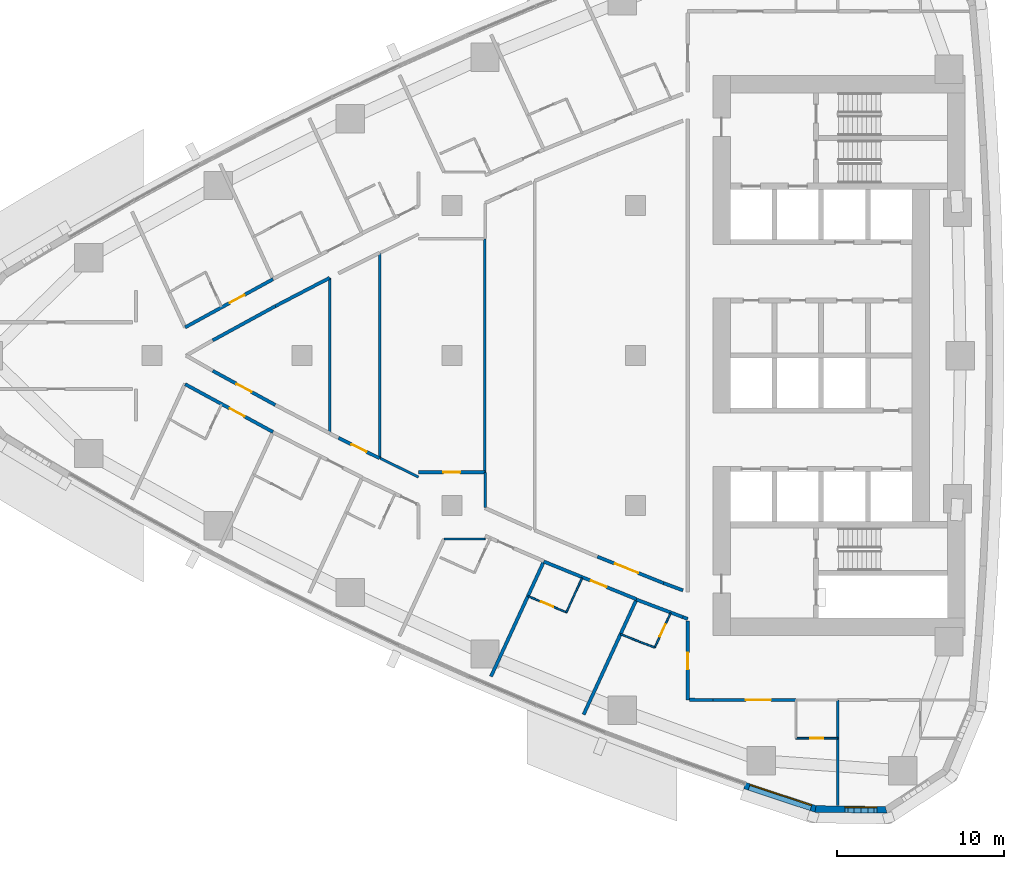
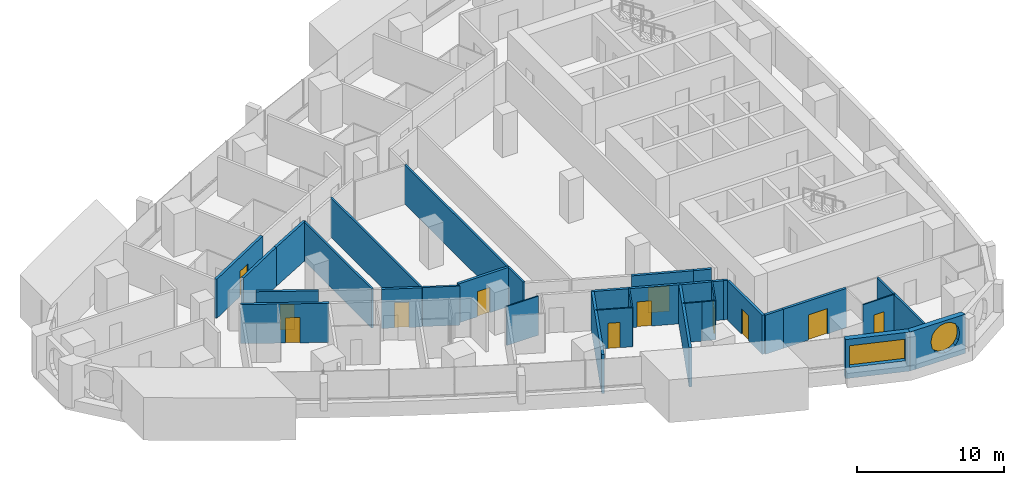
# One storey, part 9 of 17: 32 walls, 12 doors, 2 windows, 14 openings.
"""IFC4 building model written with IfcOpenShell, lengths in metres."""

import ifcopenshell
import ifcopenshell.guid

model = None  # the IFC model being written
_history = None  # IfcOwnerHistory: only IFC2X3 demands one
_inside = {}  # id of a spatial element -> (the spatial element, [elements in it])
_under = {}  # id of a project, library or spatial element -> (it, [spatial elements below it])
_declared = {}  # id of a project -> (the project, [libraries it declares])
_typed = {}  # id of a type object -> (the type object, [elements of that type])
_made_of = {}  # id of a material, layer set ... -> (it, [elements and type objects made of it])


def new_model(schema):
    """Start an empty IFC model of exactly this schema.

    Asked for "IFC4X3", IfcOpenShell would pick the latest addendum, in which some entities
    have other attributes; the version numbers below select the first issue.
    IFC2X3 requires an IfcOwnerHistory on every rooted entity: one is made here for all.
    """
    global model, _history
    if schema == "IFC4X3":
        model = ifcopenshell.file(schema_version=(4, 3, 0, 0))
    else:
        model = ifcopenshell.file(schema=schema)
    _inside.clear()
    _under.clear()
    _declared.clear()
    _typed.clear()
    _made_of.clear()
    _history = None
    if model.schema == "IFC2X3":
        org = make("IfcOrganization", Name="unknown")
        user = make(
            "IfcPersonAndOrganization",
            ThePerson=make("IfcPerson", FamilyName="unknown"),
            TheOrganization=org,
        )
        app = make(
            "IfcApplication",
            ApplicationDeveloper=org,
            Version="unknown",
            ApplicationFullName="unknown",
            ApplicationIdentifier="unknown",
        )
        _history = make(
            "IfcOwnerHistory",
            OwningUser=user,
            OwningApplication=app,
            ChangeAction="ADDED",
            CreationDate=0,
        )
    return model


def make(cls, **values):
    """One entity of the class cls with the attributes given. An attribute that is None is left unset."""
    return model.create_entity(
        cls, **{name: value for name, value in values.items() if value is not None}
    )


def rooted(cls, **values):
    """An entity with a GlobalId (a new one), such as an element, a storey or a relation."""
    return make(cls, GlobalId=ifcopenshell.guid.new(), OwnerHistory=_history, **values)


def si_unit(unit_type, name, prefix=None):
    """IfcSIUnit, for example si_unit("LENGTHUNIT", "METRE", prefix="MILLI")."""
    return make("IfcSIUnit", UnitType=unit_type, Prefix=prefix, Name=name)


def assignment(units):
    """IfcUnitAssignment: the units of a project."""
    return None if units is None else make("IfcUnitAssignment", Units=units)


def point(xyz):
    """IfcCartesianPoint."""
    return None if xyz is None else make("IfcCartesianPoint", Coordinates=xyz)


def direction(xyz):
    """IfcDirection."""
    return None if xyz is None else make("IfcDirection", DirectionRatios=xyz)


def frame(location, z_axis=None, x_axis=None):
    """IfcAxis2Placement3D, a coordinate frame: its origin and axes. An axis left out is left unset."""
    return make(
        "IfcAxis2Placement3D",
        Location=point(location),
        Axis=direction(z_axis),
        RefDirection=direction(x_axis),
    )


def frame_2d(location, x_axis=None):
    """IfcAxis2Placement2D, a coordinate frame in the plane: its origin and x axis."""
    return make(
        "IfcAxis2Placement2D", Location=point(location), RefDirection=direction(x_axis)
    )


def origin():
    """The frame at (0, 0, 0) with its axes left unset."""
    return frame((0.0, 0.0, 0.0))


def place(relative_to, where):
    """IfcLocalPlacement: puts the frame where relative to a parent placement (None: the world)."""
    return make(
        "IfcLocalPlacement", PlacementRelTo=relative_to, RelativePlacement=where
    )


def context(
    kind, dimensions, precision=None, world=None, true_north=None, identifier=None
):
    """IfcGeometricRepresentationContext, for example the 3D "Model" context."""
    return make(
        "IfcGeometricRepresentationContext",
        ContextIdentifier=identifier,
        ContextType=kind,
        CoordinateSpaceDimension=dimensions,
        Precision=precision,
        WorldCoordinateSystem=world,
        TrueNorth=true_north,
    )


def subcontext(parent, identifier, kind, view, scale=None):
    """IfcGeometricRepresentationSubContext, for example "Body" below "Model"."""
    return make(
        "IfcGeometricRepresentationSubContext",
        ContextIdentifier=identifier,
        ContextType=kind,
        ParentContext=parent,
        TargetScale=scale,
        TargetView=view,
    )


def project(units=None, contexts=None):
    """IfcProject with its units and contexts."""
    return rooted(
        "IfcProject",
        Name="project",
        RepresentationContexts=contexts,
        UnitsInContext=assignment(units),
    )


def spatial(cls, under=None, at=None, **own):
    """A site, building, storey or space (cls), placed at a placement, below another one or the project."""
    s = rooted(cls, ObjectPlacement=at, **own)
    if under is not None:
        _under.setdefault(under.id(), (under, []))[1].append(s)
    return s


def polyline(points):
    """IfcPolyline through the points."""
    return make("IfcPolyline", Points=[point(p) for p in points])


def profile(cls, at=None, kind="AREA", **sizes):
    """A parametric profile (cls). Its sizes go by their IFC names, for example OverallWidth=200.0."""
    return make(cls, ProfileType=kind, Position=at, **sizes)


def rectangle(**sizes):
    """IfcRectangleProfileDef."""
    return profile("IfcRectangleProfileDef", **sizes)


def outline(outer, holes=None, kind="AREA"):
    """IfcArbitraryClosedProfileDef: a profile drawn as a closed curve; with holes, ...WithVoids."""
    if holes is None:
        return make("IfcArbitraryClosedProfileDef", ProfileType=kind, OuterCurve=outer)
    return make(
        "IfcArbitraryProfileDefWithVoids",
        ProfileType=kind,
        OuterCurve=outer,
        InnerCurves=holes,
    )


def extrude(swept, where, along, depth):
    """IfcExtrudedAreaSolid: the profile swept, set in the frame where, extruded along a direction by depth."""
    return make(
        "IfcExtrudedAreaSolid",
        SweptArea=swept,
        Position=where,
        ExtrudedDirection=direction(along),
        Depth=depth,
    )


def shape(context_of_items, identifier, shape_type, items):
    """IfcShapeRepresentation: the items that make up one representation, for example the "Body"."""
    return make(
        "IfcShapeRepresentation",
        ContextOfItems=context_of_items,
        RepresentationIdentifier=identifier,
        RepresentationType=shape_type,
        Items=items,
    )


def material(Name=None, Category=None):
    """IfcMaterial."""
    return make("IfcMaterial", Name=Name, Category=Category)


def layer(
    of_material, thickness, ventilated=None, Name=None, Category=None, Priority=None
):
    """IfcMaterialLayer: one layer of a wall or slab, of a material (None: an air gap)."""
    return make(
        "IfcMaterialLayer",
        Material=of_material,
        LayerThickness=thickness,
        IsVentilated=ventilated,
        Name=Name,
        Category=Category,
        Priority=Priority,
    )


def layer_set(layers, Name=None):
    """IfcMaterialLayerSet."""
    return make("IfcMaterialLayerSet", MaterialLayers=layers, LayerSetName=Name)


def made_of(thing, what):
    """Note that an element or type object is made of a material, layer set ...; save() writes the relation."""
    if what is not None:
        _made_of.setdefault(what.id(), (what, []))[1].append(thing)
    return thing


def type_object(cls, material=None, **own):
    """A type object (cls), such as IfcWallType, which elements share."""
    return made_of(rooted(cls, **own), material)


def element(
    cls,
    number,
    at=None,
    inside=None,
    cuts=None,
    type_object=None,
    material=None,
    context=None,
    identifier="Body",
    shape_type=None,
    held_by="IfcProductDefinitionShape",
    body=None,
    shapes=None,
    **own,
):
    """One element of the class cls, such as IfcWall. Its Tag is "e" and its number.

    at: its placement. inside: the storey or other place that contains it. cuts: it is an
    opening in that element (IfcRelVoidsElement). A single representation is given by context,
    identifier, shape_type and body (its items); several are given by shapes. held_by: the class
    of the entity that holds the representations. save() writes the other relations.
    """
    e = rooted(cls, Tag="e%d" % number, ObjectPlacement=at, **own)
    if body is not None:
        shapes = [shape(context, identifier, shape_type, body)]
    if shapes is not None:
        e.Representation = make(held_by, Representations=shapes)
    if inside is not None:
        _inside.setdefault(inside.id(), (inside, []))[1].append(e)
    if cuts is not None:
        rooted(
            "IfcRelVoidsElement", RelatingBuildingElement=cuts, RelatedOpeningElement=e
        )
    if type_object is not None:
        _typed.setdefault(type_object.id(), (type_object, []))[1].append(e)
    return made_of(e, material)


def fill(opening, filler):
    """IfcRelFillsElement: the door or window that sits in an opening."""
    return rooted(
        "IfcRelFillsElement",
        RelatingOpeningElement=opening,
        RelatedBuildingElement=filler,
    )


def aggregate(whole, parts):
    """IfcRelAggregates: a whole, such as a stair, and the parts it consists of."""
    return rooted("IfcRelAggregates", RelatingObject=whole, RelatedObjects=parts)


def save(model, path):
    """Write the relations noted so far, then the file.

    IfcRelAggregates (storeys below a building ...), IfcRelContainedInSpatialStructure (elements
    in a storey), IfcRelDefinesByType, IfcRelAssociatesMaterial and IfcRelDeclares: one each for
    every whole, place, type object, material and project.
    """
    for whole, parts in _under.values():
        aggregate(whole, parts)
    for where, things in _inside.values():
        rooted(
            "IfcRelContainedInSpatialStructure",
            RelatedElements=things,
            RelatingStructure=where,
        )
    for kind, things in _typed.values():
        rooted("IfcRelDefinesByType", RelatedObjects=things, RelatingType=kind)
    for what, things in _made_of.values():
        rooted("IfcRelAssociatesMaterial", RelatedObjects=things, RelatingMaterial=what)
    for by, libraries in _declared.values():
        rooted("IfcRelDeclares", RelatingContext=by, RelatedDefinitions=libraries)
    model.write(path)


model = new_model("IFC4")

# Units and contexts
model_context = context("Model", 3, precision=1e-05, world=origin(), true_north=direction((0.0, 1.0)))
body_context = subcontext(model_context, "Body", "Model", "MODEL_VIEW")
ifc_project = project(units=[si_unit("LENGTHUNIT", "METRE"), si_unit("AREAUNIT", "SQUARE_METRE"), si_unit("VOLUMEUNIT", "CUBIC_METRE"), si_unit("PLANEANGLEUNIT", "RADIAN"), si_unit("MASSUNIT", "GRAM", prefix="KILO")], contexts=[model_context])

# Site, building, storey
site_placement = place(None, origin())
site = spatial("IfcSite", under=ifc_project, at=site_placement, CompositionType="ELEMENT")
building_placement = place(site_placement, origin())
building = spatial("IfcBuilding", under=site, at=building_placement, Name="Ostrand Prow Hotel Tower", CompositionType="ELEMENT")
storey_placement = place(building_placement, frame((0.0, 0.0, 102.64990234375)))
storey = spatial("IfcBuildingStorey", under=building, at=storey_placement, Name="L24", CompositionType="ELEMENT", Elevation=102.64990234375)

# Wall, opening, door
ifc_material_1 = material(Name="Plasterboard partition")
ifc_layer_1 = layer(ifc_material_1, 0.10009765625)
ifc_layer_set_1 = layer_set([ifc_layer_1], Name="Plasterboard partition")
wall_type_1 = type_object("IfcWallType", Name="Partition 100 bathroom wall", PredefinedType="PARTITIONING", material=ifc_layer_set_1)
wall_1_placement = place(storey_placement, frame((57.130615234375, -22.949951171875, 0.0), z_axis=(0.0, 0.0, 1.0), x_axis=(-1.0, 0.0, 0.0)))
wall_1 = element("IfcWall", 1, at=wall_1_placement, inside=storey, type_object=wall_type_1, Name="BATHROOM WALL", PredefinedType="PARTITIONING", context=body_context, shape_type="SweptSolid", body=[
    extrude(rectangle(XDim=2.5, YDim=0.10009765625, at=frame_2d((1.25, 0.0))), origin(), (0.0, 0.0, 1.0), 3.25),
])
opening_1_placement = place(wall_1_placement, frame((0.85009765625, 0.0, 0.0)))
opening_1 = element("IfcOpeningElement", 2, at=opening_1_placement, cuts=wall_1, Name="Opening D2", PredefinedType="OPENING", context=body_context, shape_type="SweptSolid", body=[
    extrude(rectangle(XDim=0.800048828125, YDim=2.10009765625, at=frame_2d((0.39990234375, 1.050048828125))), frame((0.0, 0.06005859375, 0.0), z_axis=(0.0, -1.0, 0.0), x_axis=(1.0, 0.0, 0.0)), (0.0, 0.0, 1.0), 0.1201171875),
])
ifc_material_2 = material(Name="Timber door leaf", Category="wood")
door_type_1 = type_object("IfcDoorType", Name="Bathroom door 800", OperationType="SINGLE_SWING_LEFT", PredefinedType="DOOR", material=ifc_material_2)
door_1_placement = place(opening_1_placement, origin())
door_1 = element("IfcDoor", 3, at=door_1_placement, inside=storey, type_object=door_type_1, Name="DOOR", OperationType="SINGLE_SWING_LEFT", OverallHeight=2.10009765625, OverallWidth=0.800048828125, PredefinedType="DOOR", context=body_context, shape_type="SweptSolid", body=[
    extrude(rectangle(XDim=0.800048828125, YDim=2.10009765625, at=frame_2d((0.39990234375, 1.050048828125))), frame((0.0, 0.02490234375, 0.0), z_axis=(0.0, -1.0, 0.0), x_axis=(1.0, 0.0, 0.0)), (0.0, 0.0, 1.0), 0.050048828125),
])
fill(opening_1, door_1)

# Wall
wall_2_placement = place(storey_placement, frame((41.816162109375, -13.32958984375, 0.0), z_axis=(0.0, 0.0, 1.0), x_axis=(-0.417433204355, -0.908707609686, 0.0)))
element("IfcWall", 4, at=wall_2_placement, inside=storey, type_object=wall_type_1, Name="BATHROOM WALL", PredefinedType="PARTITIONING", context=body_context, shape_type="SweptSolid", body=[
    extrude(rectangle(XDim=2.278076171875, YDim=0.10009765625, at=frame_2d((1.13916015625, 0.0))), origin(), (0.0, 0.0, 1.0), 3.25),
])

# Wall, opening, door
wall_3_placement = place(storey_placement, frame((40.865234375, -15.399658203125, 0.0), z_axis=(0.0, 0.0, 1.0), x_axis=(-0.921042675983, 0.38946166566, 0.0)))
wall_3 = element("IfcWall", 5, at=wall_3_placement, inside=storey, type_object=wall_type_1, Name="BATHROOM WALL", PredefinedType="PARTITIONING", context=body_context, shape_type="SweptSolid", body=[
    extrude(rectangle(XDim=2.501220703125, YDim=0.10009765625, at=frame_2d((1.25048828125, 0.0))), origin(), (0.0, 0.0, 1.0), 3.25),
])
opening_2_placement = place(wall_3_placement, frame((0.85009765625, 0.0, 0.0)))
opening_2 = element("IfcOpeningElement", 6, at=opening_2_placement, cuts=wall_3, Name="Opening D2", PredefinedType="OPENING", context=body_context, shape_type="SweptSolid", body=[
    extrude(rectangle(XDim=0.800048828125, YDim=2.10009765625, at=frame_2d((0.39990234375, 1.050048828125))), frame((0.0, 0.06005859375, 0.0), z_axis=(0.0, -1.0, 0.0), x_axis=(1.0, 0.0, 0.0)), (0.0, 0.0, 1.0), 0.1201171875),
])
door_2_placement = place(opening_2_placement, origin())
door_2 = element("IfcDoor", 7, at=door_2_placement, inside=storey, type_object=door_type_1, Name="DOOR", OperationType="SINGLE_SWING_LEFT", OverallHeight=2.10009765625, OverallWidth=0.800048828125, PredefinedType="DOOR", context=body_context, shape_type="SweptSolid", body=[
    extrude(rectangle(XDim=0.800048828125, YDim=2.10009765625, at=frame_2d((0.39990234375, 1.050048828125))), frame((0.0, 0.02490234375, 0.0), z_axis=(0.0, -1.0, 0.0), x_axis=(1.0, 0.0, 0.0)), (0.0, 0.0, 1.0), 0.050048828125),
])
fill(opening_2, door_2)

wall_4_placement = place(storey_placement, frame((47.1220703125, -15.434326171875, 0.0), z_axis=(0.0, 0.0, 1.0), x_axis=(-0.417409478396, -0.90871850831, 0.0)))
wall_4 = element("IfcWall", 8, at=wall_4_placement, inside=storey, type_object=wall_type_1, Name="BATHROOM WALL", PredefinedType="PARTITIONING", context=body_context, shape_type="SweptSolid", body=[
    extrude(rectangle(XDim=2.282958984375, YDim=0.10009765625, at=frame_2d((1.1416015625, 0.0))), origin(), (0.0, 0.0, 1.0), 3.25),
])
opening_3_placement = place(wall_4_placement, frame((0.75, 0.0, 0.0)))
opening_3 = element("IfcOpeningElement", 9, at=opening_3_placement, cuts=wall_4, Name="Opening D2", PredefinedType="OPENING", context=body_context, shape_type="SweptSolid", body=[
    extrude(rectangle(XDim=0.800048828125, YDim=2.10009765625, at=frame_2d((0.39990234375, 1.050048828125))), frame((0.0, 0.06005859375, 0.0), z_axis=(0.0, -1.0, 0.0), x_axis=(1.0, 0.0, 0.0)), (0.0, 0.0, 1.0), 0.1201171875),
])
door_3_placement = place(opening_3_placement, origin())
door_3 = element("IfcDoor", 10, at=door_3_placement, inside=storey, type_object=door_type_1, Name="DOOR", OperationType="SINGLE_SWING_LEFT", OverallHeight=2.10009765625, OverallWidth=0.800048828125, PredefinedType="DOOR", context=body_context, shape_type="SweptSolid", body=[
    extrude(rectangle(XDim=0.800048828125, YDim=2.10009765625, at=frame_2d((0.39990234375, 1.050048828125))), frame((0.0, 0.02490234375, 0.0), z_axis=(0.0, -1.0, 0.0), x_axis=(1.0, 0.0, 0.0)), (0.0, 0.0, 1.0), 0.050048828125),
])
fill(opening_3, door_3)

# Walls
wall_5_placement = place(storey_placement, frame((46.1689453125, -17.5087890625, 0.0), z_axis=(0.0, 0.0, 1.0), x_axis=(-0.935885332459, 0.352304760808, 0.0)))
element("IfcWall", 11, at=wall_5_placement, inside=storey, type_object=wall_type_1, Name="BATHROOM WALL", PredefinedType="PARTITIONING", context=body_context, shape_type="SweptSolid", body=[
    extrude(rectangle(XDim=0.90576171875, YDim=0.10009765625, at=frame_2d((0.452880859375, 0.0))), origin(), (0.0, 0.0, 1.0), 3.25),
])
wall_6_placement = place(storey_placement, frame((45.3212890625, -17.189697265625, 0.0), z_axis=(0.0, 0.0, 1.0), x_axis=(-0.928593389657, 0.371098796393, 0.0)))
element("IfcWall", 12, at=wall_6_placement, inside=storey, type_object=wall_type_1, Name="BATHROOM WALL", PredefinedType="PARTITIONING", context=body_context, shape_type="SweptSolid", body=[
    extrude(rectangle(XDim=1.298095703125, YDim=0.10009765625, at=frame_2d((0.64892578125, 0.0))), origin(), (0.0, 0.0, 1.0), 3.25),
])
wall_7_placement = place(storey_placement, frame((33.530029296875, -11.0048828125, 0.0), z_axis=(0.0, 0.0, 1.0), x_axis=(1.0, 0.0, 0.0)))
element("IfcWall", 13, at=wall_7_placement, inside=storey, type_object=wall_type_1, Name="BATHROOM WALL", PredefinedType="PARTITIONING", context=body_context, shape_type="SweptSolid", body=[
    extrude(rectangle(XDim=2.470458984375, YDim=0.10009765625, at=frame_2d((1.2353515625, 0.0))), origin(), (0.0, 0.0, 1.0), 3.25),
])
ifc_material_3 = material(Name="Plasterboard partition")
ifc_layer_2 = layer(ifc_material_3, 0.14990234375)
ifc_layer_set_2 = layer_set([ifc_layer_2], Name="Plasterboard partition")
wall_type_2 = type_object("IfcWallType", Name="Partition 150 room partition", PredefinedType="PARTITIONING", material=ifc_layer_set_2)
wall_8_placement = place(storey_placement, frame((57.130615234375, -26.97900390625, 0.0), z_axis=(0.0, 0.0, 1.0), x_axis=(0.0, 1.0, 0.0)))
element("IfcWall", 14, at=wall_8_placement, inside=storey, type_object=wall_type_2, Name="ROOM PARTITION", PredefinedType="PARTITIONING", context=body_context, shape_type="SweptSolid", body=[
    extrude(rectangle(XDim=6.3291015625, YDim=0.14990234375, at=frame_2d((3.16455078125, 0.0))), origin(), (0.0, 0.0, 1.0), 3.25),
])
wall_9_placement = place(storey_placement, frame((26.66650390625, -4.659912109375, 0.0), z_axis=(0.0, 0.0, 1.0), x_axis=(0.0, 1.0, 0.0)))
element("IfcWall", 15, at=wall_9_placement, inside=storey, type_object=wall_type_2, Name="ROOM PARTITION", PredefinedType="PARTITIONING", context=body_context, shape_type="SweptSolid", body=[
    extrude(rectangle(XDim=9.31982421875, YDim=0.14990234375, at=frame_2d((4.659912109375, 0.0))), origin(), (0.0, 0.0, 1.0), 3.25),
])
wall_10_placement = place(storey_placement, frame((29.66650390625, -6.160400390625, 0.0), z_axis=(0.0, 0.0, 1.0), x_axis=(0.0, 1.0, 0.0)))
element("IfcWall", 16, at=wall_10_placement, inside=storey, type_object=wall_type_2, Name="ROOM PARTITION", PredefinedType="PARTITIONING", context=body_context, shape_type="SweptSolid", body=[
    extrude(rectangle(XDim=12.32080078125, YDim=0.14990234375, at=frame_2d((6.160400390625, 0.0))), origin(), (0.0, 0.0, 1.0), 3.25),
])
wall_11_placement = place(storey_placement, frame((35.974609375, -7.0, 0.0), z_axis=(0.0, 0.0, 1.0), x_axis=(0.0, 1.0, 0.0)))
element("IfcWall", 17, at=wall_11_placement, inside=storey, type_object=wall_type_2, Name="ROOM PARTITION", PredefinedType="PARTITIONING", context=body_context, shape_type="SweptSolid", body=[
    extrude(rectangle(XDim=14.0, YDim=0.14990234375, at=frame_2d((7.0, 0.0))), origin(), (0.0, 0.0, 1.0), 3.25),
])
wall_12_placement = place(storey_placement, frame((31.9951171875, -7.284912109375, 0.0), z_axis=(0.0, 0.0, 1.0), x_axis=(-0.89773510237, 0.440535680702, 0.0)))
element("IfcWall", 18, at=wall_12_placement, inside=storey, type_object=wall_type_2, Name="ROOM PARTITION", PredefinedType="PARTITIONING", context=body_context, shape_type="SweptSolid", body=[
    extrude(rectangle(XDim=2.54931640625, YDim=0.14990234375, at=frame_2d((1.274658203125, 0.0))), origin(), (0.0, 0.0, 1.0), 3.25),
])
wall_13_placement = place(storey_placement, frame((36.0048828125, -9.110107421875, 0.0), z_axis=(0.0, 0.0, 1.0), x_axis=(0.0, 1.0, 0.0)))
element("IfcWall", 19, at=wall_13_placement, inside=storey, type_object=wall_type_2, Name="ROOM PARTITION", PredefinedType="PARTITIONING", context=body_context, shape_type="SweptSolid", body=[
    extrude(rectangle(XDim=2.083984375, YDim=0.14990234375, at=frame_2d((1.0419921875, 0.0))), origin(), (0.0, 0.0, 1.0), 3.25),
])

# Wall, opening, door
ifc_material_4 = material(Name="Plasterboard partition")
ifc_layer_3 = layer(ifc_material_4, 0.199951171875)
ifc_layer_set_3 = layer_set([ifc_layer_3], Name="Plasterboard partition")
wall_type_3 = type_object("IfcWallType", Name="Partition 200 corridor wall", PredefinedType="PARTITIONING", material=ifc_layer_set_3)
wall_14_placement = place(storey_placement, frame((18.0, 1.691650390625, 0.0), z_axis=(0.0, 0.0, 1.0), x_axis=(0.876809096721, 0.480838650597, 0.0)))
wall_14 = element("IfcWall", 20, at=wall_14_placement, inside=storey, type_object=wall_type_3, Name="CORRIDOR WALL", PredefinedType="PARTITIONING", context=body_context, shape_type="SweptSolid", body=[
    extrude(rectangle(XDim=6.01513671875, YDim=0.199951171875, at=frame_2d((3.007568359375, 0.0))), origin(), (0.0, 0.0, 1.0), 3.25),
])
opening_4_placement = place(wall_14_placement, frame((3.050048828125, 0.0, 0.0)))
opening_4 = element("IfcOpeningElement", 21, at=opening_4_placement, cuts=wall_14, Name="Opening D1R", PredefinedType="OPENING", context=body_context, shape_type="SweptSolid", body=[
    extrude(rectangle(XDim=1.0, YDim=2.10009765625, at=frame_2d((0.5, 1.050048828125))), frame((0.0, 0.10986328125, 0.0), z_axis=(0.0, -1.0, 0.0), x_axis=(1.0, 0.0, 0.0)), (0.0, 0.0, 1.0), 0.219970703125),
])
ifc_material_5 = material(Name="Timber door leaf", Category="wood")
door_type_2 = type_object("IfcDoorType", Name="Guest room door 1000 right", OperationType="SINGLE_SWING_RIGHT", PredefinedType="DOOR", material=ifc_material_5)
door_4_placement = place(opening_4_placement, origin())
door_4 = element("IfcDoor", 22, at=door_4_placement, inside=storey, type_object=door_type_2, Name="DOOR", OperationType="SINGLE_SWING_RIGHT", OverallHeight=2.10009765625, OverallWidth=1.0, PredefinedType="DOOR", context=body_context, shape_type="SweptSolid", body=[
    extrude(rectangle(XDim=1.0, YDim=2.10009765625, at=frame_2d((0.5, 1.050048828125))), frame((0.0, 0.02490234375, 0.0), z_axis=(0.0, -1.0, 0.0), x_axis=(1.0, 0.0, 0.0)), (0.0, 0.0, 1.0), 0.050048828125),
])
fill(opening_4, door_4)

wall_15_placement = place(storey_placement, frame((18.0, -1.714599609375, 0.0), z_axis=(0.0, 0.0, 1.0), x_axis=(0.878415628048, -0.477897462225, 0.0)))
wall_15 = element("IfcWall", 23, at=wall_15_placement, inside=storey, type_object=wall_type_3, Name="CORRIDOR WALL", PredefinedType="PARTITIONING", context=body_context, shape_type="SweptSolid", body=[
    extrude(rectangle(XDim=6.004150390625, YDim=0.199951171875, at=frame_2d((3.001953125, 0.0))), origin(), (0.0, 0.0, 1.0), 3.25),
])
opening_5_placement = place(wall_15_placement, frame((3.050048828125, 0.0, 0.0)))
opening_5 = element("IfcOpeningElement", 24, at=opening_5_placement, cuts=wall_15, Name="Opening D1", PredefinedType="OPENING", context=body_context, shape_type="SweptSolid", body=[
    extrude(rectangle(XDim=1.0, YDim=2.10009765625, at=frame_2d((0.5, 1.050048828125))), frame((0.0, 0.10986328125, 0.0), z_axis=(0.0, -1.0, 0.0), x_axis=(1.0, 0.0, 0.0)), (0.0, 0.0, 1.0), 0.219970703125),
])
ifc_material_6 = material(Name="Timber door leaf", Category="wood")
door_type_3 = type_object("IfcDoorType", Name="Guest room door 1000", OperationType="SINGLE_SWING_LEFT", PredefinedType="DOOR", material=ifc_material_6)
door_5_placement = place(opening_5_placement, origin())
door_5 = element("IfcDoor", 25, at=door_5_placement, inside=storey, type_object=door_type_3, Name="DOOR", OperationType="SINGLE_SWING_LEFT", OverallHeight=2.10009765625, OverallWidth=1.0, PredefinedType="DOOR", context=body_context, shape_type="SweptSolid", body=[
    extrude(rectangle(XDim=1.0, YDim=2.10009765625, at=frame_2d((0.5, 1.050048828125))), frame((0.0, 0.02490234375, 0.0), z_axis=(0.0, -1.0, 0.0), x_axis=(1.0, 0.0, 0.0)), (0.0, 0.0, 1.0), 0.050048828125),
])
fill(opening_5, door_5)

wall_16_placement = place(storey_placement, frame((39.513916015625, -12.352783203125, 0.0), z_axis=(0.0, 0.0, 1.0), x_axis=(0.926327862679, -0.376718317613, 0.0)))
wall_16 = element("IfcWall", 26, at=wall_16_placement, inside=storey, type_object=wall_type_3, Name="CORRIDOR WALL", PredefinedType="PARTITIONING", context=body_context, shape_type="SweptSolid", body=[
    extrude(rectangle(XDim=6.005615234375, YDim=0.199951171875, at=frame_2d((3.0029296875, 0.0))), origin(), (0.0, 0.0, 1.0), 3.25),
])
opening_6_placement = place(wall_16_placement, frame((3.050048828125, 0.0, 0.0)))
opening_6 = element("IfcOpeningElement", 27, at=opening_6_placement, cuts=wall_16, Name="Opening D1", PredefinedType="OPENING", context=body_context, shape_type="SweptSolid", body=[
    extrude(rectangle(XDim=1.0, YDim=2.10009765625, at=frame_2d((0.5, 1.050048828125))), frame((0.0, 0.10986328125, 0.0), z_axis=(0.0, -1.0, 0.0), x_axis=(1.0, 0.0, 0.0)), (0.0, 0.0, 1.0), 0.219970703125),
])
door_6_placement = place(opening_6_placement, origin())
door_6 = element("IfcDoor", 28, at=door_6_placement, inside=storey, type_object=door_type_3, Name="DOOR", OperationType="SINGLE_SWING_LEFT", OverallHeight=2.10009765625, OverallWidth=1.0, PredefinedType="DOOR", context=body_context, shape_type="SweptSolid", body=[
    extrude(rectangle(XDim=1.0, YDim=2.10009765625, at=frame_2d((0.5, 1.050048828125))), frame((0.0, 0.02490234375, 0.0), z_axis=(0.0, -1.0, 0.0), x_axis=(1.0, 0.0, 0.0)), (0.0, 0.0, 1.0), 0.050048828125),
])
fill(opening_6, door_6)

wall_17_placement = place(storey_placement, frame((23.40673828125, -2.9619140625, 0.0), z_axis=(0.0, 0.0, 1.0), x_axis=(-0.877465075585, 0.479640533242, 0.0)))
wall_17 = element("IfcWall", 29, at=wall_17_placement, inside=storey, type_object=wall_type_3, Name="CORRIDOR WALL", PredefinedType="PARTITIONING", context=body_context, shape_type="SweptSolid", body=[
    extrude(rectangle(XDim=4.273193359375, YDim=0.199951171875, at=frame_2d((2.13671875, 0.0))), origin(), (0.0, 0.0, 1.0), 3.25),
])
opening_7_placement = place(wall_17_placement, frame((1.636474609375, 0.0, 0.0)))
opening_7 = element("IfcOpeningElement", 30, at=opening_7_placement, cuts=wall_17, Name="Opening D1", PredefinedType="OPENING", context=body_context, shape_type="SweptSolid", body=[
    extrude(rectangle(XDim=1.0, YDim=2.10009765625, at=frame_2d((0.5, 1.050048828125))), frame((0.0, 0.10986328125, 0.0), z_axis=(0.0, -1.0, 0.0), x_axis=(1.0, 0.0, 0.0)), (0.0, 0.0, 1.0), 0.219970703125),
])
door_7_placement = place(opening_7_placement, origin())
door_7 = element("IfcDoor", 31, at=door_7_placement, inside=storey, type_object=door_type_3, Name="DOOR", OperationType="SINGLE_SWING_LEFT", OverallHeight=2.10009765625, OverallWidth=1.0, PredefinedType="DOOR", context=body_context, shape_type="SweptSolid", body=[
    extrude(rectangle(XDim=1.0, YDim=2.10009765625, at=frame_2d((0.5, 1.050048828125))), frame((0.0, 0.02490234375, 0.0), z_axis=(0.0, -1.0, 0.0), x_axis=(1.0, 0.0, 0.0)), (0.0, 0.0, 1.0), 0.050048828125),
])
fill(opening_7, door_7)

# Walls
wall_18_placement = place(storey_placement, frame((19.6572265625, 0.912353515625, 0.0), z_axis=(0.0, 0.0, 1.0), x_axis=(0.877465075585, 0.479640533242, 0.0)))
element("IfcWall", 32, at=wall_18_placement, inside=storey, type_object=wall_type_3, Name="CORRIDOR WALL", PredefinedType="PARTITIONING", context=body_context, shape_type="SweptSolid", body=[
    extrude(rectangle(XDim=4.273193359375, YDim=0.199951171875, at=frame_2d((2.13671875, 0.0))), origin(), (0.0, 0.0, 1.0), 3.25),
])
wall_19_placement = place(storey_placement, frame((23.40673828125, 2.9619140625, 0.0), z_axis=(0.0, 0.0, 1.0), x_axis=(0.886891405098, 0.46197796004, 0.0)))
element("IfcWall", 33, at=wall_19_placement, inside=storey, type_object=wall_type_3, Name="CORRIDOR WALL", PredefinedType="PARTITIONING", context=body_context, shape_type="SweptSolid", body=[
    extrude(rectangle(XDim=3.675537109375, YDim=0.199951171875, at=frame_2d((1.837890625, 0.0))), origin(), (0.0, 0.0, 1.0), 3.25),
])

# Wall, opening, door
wall_20_placement = place(storey_placement, frame((29.66650390625, -6.160400390625, 0.0), z_axis=(0.0, 0.0, 1.0), x_axis=(-0.895945057464, 0.444164895062, 0.0)))
wall_20 = element("IfcWall", 34, at=wall_20_placement, inside=storey, type_object=wall_type_3, Name="CORRIDOR WALL", PredefinedType="PARTITIONING", context=body_context, shape_type="SweptSolid", body=[
    extrude(rectangle(XDim=2.757080078125, YDim=0.199951171875, at=frame_2d((1.37841796875, 0.0))), origin(), (0.0, 0.0, 1.0), 3.25),
])
opening_8_placement = place(wall_20_placement, frame((0.87841796875, 0.0, 0.0)))
opening_8 = element("IfcOpeningElement", 35, at=opening_8_placement, cuts=wall_20, Name="Opening D1R", PredefinedType="OPENING", context=body_context, shape_type="SweptSolid", body=[
    extrude(rectangle(XDim=1.0, YDim=2.10009765625, at=frame_2d((0.5, 1.050048828125))), frame((0.0, 0.10986328125, 0.0), z_axis=(0.0, -1.0, 0.0), x_axis=(1.0, 0.0, 0.0)), (0.0, 0.0, 1.0), 0.219970703125),
])
door_8_placement = place(opening_8_placement, origin())
door_8 = element("IfcDoor", 36, at=door_8_placement, inside=storey, type_object=door_type_2, Name="DOOR", OperationType="SINGLE_SWING_RIGHT", OverallHeight=2.10009765625, OverallWidth=1.0, PredefinedType="DOOR", context=body_context, shape_type="SweptSolid", body=[
    extrude(rectangle(XDim=1.0, YDim=2.10009765625, at=frame_2d((0.5, 1.050048828125))), frame((0.0, 0.02490234375, 0.0), z_axis=(0.0, -1.0, 0.0), x_axis=(1.0, 0.0, 0.0)), (0.0, 0.0, 1.0), 0.050048828125),
])
fill(opening_8, door_8)

wall_21_placement = place(storey_placement, frame((46.69580078125, -13.646728515625, 0.0), z_axis=(0.0, 0.0, 1.0), x_axis=(-0.928638161177, 0.370986745864, 0.0)))
wall_21 = element("IfcWall", 37, at=wall_21_placement, inside=storey, type_object=wall_type_3, Name="CORRIDOR WALL", PredefinedType="PARTITIONING", context=body_context, shape_type="SweptSolid", body=[
    extrude(rectangle(XDim=4.27294921875, YDim=0.199951171875, at=frame_2d((2.136474609375, 0.0))), origin(), (0.0, 0.0, 1.0), 3.25),
])
opening_9_placement = place(wall_21_placement, frame((1.636474609375, 0.0, 0.0)))
opening_9 = element("IfcOpeningElement", 38, at=opening_9_placement, cuts=wall_21, Name="Opening D15", PredefinedType="OPENING", context=body_context, shape_type="SweptSolid", body=[
    extrude(rectangle(XDim=1.5, YDim=2.10009765625, at=frame_2d((0.75, 1.050048828125))), frame((0.0, 0.10986328125, 0.0), z_axis=(0.0, -1.0, 0.0), x_axis=(1.0, 0.0, 0.0)), (0.0, 0.0, 1.0), 0.219970703125),
])
ifc_material_7 = material(Name="Timber door leaf", Category="wood")
door_type_4 = type_object("IfcDoorType", Name="Double door 1500", OperationType="DOUBLE_DOOR_SINGLE_SWING", PredefinedType="DOOR", material=ifc_material_7)
door_9_placement = place(opening_9_placement, origin())
door_9 = element("IfcDoor", 39, at=door_9_placement, inside=storey, type_object=door_type_4, Name="DOOR", OperationType="DOUBLE_DOOR_SINGLE_SWING", OverallHeight=2.10009765625, OverallWidth=1.5, PredefinedType="DOOR", context=body_context, shape_type="SweptSolid", body=[
    extrude(rectangle(XDim=1.5, YDim=2.10009765625, at=frame_2d((0.75, 1.050048828125))), frame((0.0, 0.02490234375, 0.0), z_axis=(0.0, -1.0, 0.0), x_axis=(1.0, 0.0, 0.0)), (0.0, 0.0, 1.0), 0.050048828125),
])
fill(opening_9, door_9)

wall_22_placement = place(storey_placement, frame((49.64990234375, -20.655029296875, 0.0), z_axis=(0.0, 0.0, 1.0), x_axis=(1.0, 0.0, 0.0)))
wall_22 = element("IfcWall", 40, at=wall_22_placement, inside=storey, type_object=wall_type_3, Name="CORRIDOR WALL", PredefinedType="PARTITIONING", context=body_context, shape_type="SweptSolid", body=[
    extrude(rectangle(XDim=4.9755859375, YDim=0.199951171875, at=frame_2d((2.48779296875, 0.0))), origin(), (0.0, 0.0, 1.0), 3.25),
])
opening_10_placement = place(wall_22_placement, frame((1.98779296875, 0.0, 0.0)))
opening_10 = element("IfcOpeningElement", 41, at=opening_10_placement, cuts=wall_22, Name="Opening D15", PredefinedType="OPENING", context=body_context, shape_type="SweptSolid", body=[
    extrude(rectangle(XDim=1.5, YDim=2.10009765625, at=frame_2d((0.75, 1.050048828125))), frame((0.0, 0.10986328125, 0.0), z_axis=(0.0, -1.0, 0.0), x_axis=(1.0, 0.0, 0.0)), (0.0, 0.0, 1.0), 0.219970703125),
])
door_10_placement = place(opening_10_placement, origin())
door_10 = element("IfcDoor", 42, at=door_10_placement, inside=storey, type_object=door_type_4, Name="DOOR", OperationType="DOUBLE_DOOR_SINGLE_SWING", OverallHeight=2.10009765625, OverallWidth=1.5, PredefinedType="DOOR", context=body_context, shape_type="SweptSolid", body=[
    extrude(rectangle(XDim=1.5, YDim=2.10009765625, at=frame_2d((0.75, 1.050048828125))), frame((0.0, 0.02490234375, 0.0), z_axis=(0.0, -1.0, 0.0), x_axis=(1.0, 0.0, 0.0)), (0.0, 0.0, 1.0), 0.050048828125),
])
fill(opening_10, door_10)

wall_23_placement = place(storey_placement, frame((35.974609375, -6.9951171875, 0.0), z_axis=(0.0, 0.0, 1.0), x_axis=(-1.0, 0.0, 0.0)))
wall_23 = element("IfcWall", 43, at=wall_23_placement, inside=storey, type_object=wall_type_3, Name="CORRIDOR WALL", PredefinedType="PARTITIONING", context=body_context, shape_type="SweptSolid", body=[
    extrude(rectangle(XDim=3.97509765625, YDim=0.199951171875, at=frame_2d((1.987548828125, 0.0))), origin(), (0.0, 0.0, 1.0), 3.25),
])
opening_11_placement = place(wall_23_placement, frame((1.487548828125, 0.0, 0.0)))
opening_11 = element("IfcOpeningElement", 44, at=opening_11_placement, cuts=wall_23, Name="Opening D1", PredefinedType="OPENING", context=body_context, shape_type="SweptSolid", body=[
    extrude(rectangle(XDim=1.0, YDim=2.10009765625, at=frame_2d((0.5, 1.050048828125))), frame((0.0, 0.10986328125, 0.0), z_axis=(0.0, -1.0, 0.0), x_axis=(1.0, 0.0, 0.0)), (0.0, 0.0, 1.0), 0.219970703125),
])
door_11_placement = place(opening_11_placement, origin())
door_11 = element("IfcDoor", 45, at=door_11_placement, inside=storey, type_object=door_type_3, Name="DOOR", OperationType="SINGLE_SWING_LEFT", OverallHeight=2.10009765625, OverallWidth=1.0, PredefinedType="DOOR", context=body_context, shape_type="SweptSolid", body=[
    extrude(rectangle(XDim=1.0, YDim=2.10009765625, at=frame_2d((0.5, 1.050048828125))), frame((0.0, 0.02490234375, 0.0), z_axis=(0.0, -1.0, 0.0), x_axis=(1.0, 0.0, 0.0)), (0.0, 0.0, 1.0), 0.050048828125),
])
fill(opening_11, door_11)

# Walls
wall_24_placement = place(storey_placement, frame((45.06884765625, -14.633544921875, 0.0), z_axis=(0.0, 0.0, 1.0), x_axis=(0.93564003724, -0.352955692282, 0.0)))
element("IfcWall", 46, at=wall_24_placement, inside=storey, type_object=wall_type_3, Name="CORRIDOR WALL", PredefinedType="PARTITIONING", context=body_context, shape_type="SweptSolid", body=[
    extrude(rectangle(XDim=2.977783203125, YDim=0.199951171875, at=frame_2d((1.48876953125, 0.0))), origin(), (0.0, 0.0, 1.0), 3.25),
])
wall_25_placement = place(storey_placement, frame((47.85498046875, -14.0830078125, 0.0), z_axis=(0.0, 0.0, 1.0), x_axis=(-0.935907269358, 0.352246480696, 0.0)))
element("IfcWall", 47, at=wall_25_placement, inside=storey, type_object=wall_type_3, Name="CORRIDOR WALL", PredefinedType="PARTITIONING", context=body_context, shape_type="SweptSolid", body=[
    extrude(rectangle(XDim=1.238525390625, YDim=0.199951171875, at=frame_2d((0.619140625, 0.0))), origin(), (0.0, 0.0, 1.0), 3.25),
])
wall_26_placement = place(storey_placement, frame((47.85498046875, -15.6845703125, 0.0), z_axis=(0.0, 0.0, 1.0), x_axis=(0.928638194287, -0.370986662983, 0.0)))
element("IfcWall", 48, at=wall_26_placement, inside=storey, type_object=wall_type_3, Name="CORRIDOR WALL", PredefinedType="PARTITIONING", context=body_context, shape_type="SweptSolid", body=[
    extrude(rectangle(XDim=0.3125, YDim=0.199951171875, at=frame_2d((0.15625, 0.0))), origin(), (0.0, 0.0, 1.0), 3.25),
])

# Wall, opening, door
wall_27_placement = place(storey_placement, frame((48.145263671875, -15.92041015625, 0.0), z_axis=(0.0, 0.0, 1.0), x_axis=(-5.1610239e-05, -0.999999998668, 0.0)))
wall_27 = element("IfcWall", 49, at=wall_27_placement, inside=storey, type_object=wall_type_3, Name="CORRIDOR WALL", PredefinedType="PARTITIONING", context=body_context, shape_type="SweptSolid", body=[
    extrude(rectangle(XDim=4.73046875, YDim=0.199951171875, at=frame_2d((2.365234375, 0.0))), origin(), (0.0, 0.0, 1.0), 3.25),
])
opening_12_placement = place(wall_27_placement, frame((1.89990234375, 0.0, 0.0)))
opening_12 = element("IfcOpeningElement", 50, at=opening_12_placement, cuts=wall_27, Name="Opening D1", PredefinedType="OPENING", context=body_context, shape_type="SweptSolid", body=[
    extrude(rectangle(XDim=1.0, YDim=2.10009765625, at=frame_2d((0.5, 1.050048828125))), frame((0.0, 0.10986328125, 0.0), z_axis=(0.0, -1.0, 0.0), x_axis=(1.0, 0.0, 0.0)), (0.0, 0.0, 1.0), 0.219970703125),
])
door_12_placement = place(opening_12_placement, origin())
door_12 = element("IfcDoor", 51, at=door_12_placement, inside=storey, type_object=door_type_3, Name="DOOR", OperationType="SINGLE_SWING_LEFT", OverallHeight=2.10009765625, OverallWidth=1.0, PredefinedType="DOOR", context=body_context, shape_type="SweptSolid", body=[
    extrude(rectangle(XDim=1.0, YDim=2.10009765625, at=frame_2d((0.5, 1.050048828125))), frame((0.0, 0.02490234375, 0.0), z_axis=(0.0, -1.0, 0.0), x_axis=(1.0, 0.0, 0.0)), (0.0, 0.0, 1.0), 0.050048828125),
])
fill(opening_12, door_12)

# Walls
wall_28_placement = place(storey_placement, frame((48.26513671875, -20.6513671875, 0.0), z_axis=(0.0, 0.0, 1.0), x_axis=(0.999996503144, -0.002644560569, 0.0)))
element("IfcWall", 52, at=wall_28_placement, inside=storey, type_object=wall_type_3, Name="CORRIDOR WALL", PredefinedType="PARTITIONING", context=body_context, shape_type="SweptSolid", body=[
    extrude(rectangle(XDim=1.384765625, YDim=0.199951171875, at=frame_2d((0.6923828125, 0.0))), origin(), (0.0, 0.0, 1.0), 3.25),
])
ifc_material_8 = material(Name="Plasterboard partition")
ifc_layer_4 = layer(ifc_material_8, 0.199951171875)
ifc_layer_set_4 = layer_set([ifc_layer_4], Name="Plasterboard partition")
wall_type_4 = type_object("IfcWallType", Name="Partition 200 key partition", PredefinedType="PARTITIONING", material=ifc_layer_set_4)
wall_29_placement = place(storey_placement, frame((36.34814453125, -19.243896484375, 0.0), z_axis=(0.0, 0.0, 1.0), x_axis=(0.417442847913, 0.908703179661, 0.0)))
element("IfcWall", 53, at=wall_29_placement, inside=storey, type_object=wall_type_4, Name="KEY PARTITION", PredefinedType="PARTITIONING", context=body_context, shape_type="SweptSolid", body=[
    extrude(rectangle(XDim=7.603515625, YDim=0.199951171875, at=frame_2d((3.8017578125, 0.0))), origin(), (0.0, 0.0, 1.0), 3.25),
])
wall_30_placement = place(storey_placement, frame((41.900634765625, -21.5302734375, 0.0), z_axis=(0.0, 0.0, 1.0), x_axis=(0.417427858403, 0.908710065438, 0.0)))
element("IfcWall", 54, at=wall_30_placement, inside=storey, type_object=wall_type_4, Name="KEY PARTITION", PredefinedType="PARTITIONING", context=body_context, shape_type="SweptSolid", body=[
    extrude(rectangle(XDim=7.609619140625, YDim=0.199951171875, at=frame_2d((3.8046875, 0.0))), origin(), (0.0, 0.0, 1.0), 3.25),
])

# Wall, opening, window
ifc_material_9 = material(Name="Precast concrete C40/50", Category="concrete")
ifc_layer_5 = layer(ifc_material_9, 0.39990234375)
ifc_layer_set_5 = layer_set([ifc_layer_5], Name="Precast concrete C40/50")
wall_type_5 = type_object("IfcWallType", Name="Stone-faced precast wall 400 mm", PredefinedType="NOTDEFINED", material=ifc_layer_set_5)
wall_31_placement = place(storey_placement, frame((51.56884765625, -25.786865234375, 0.0), z_axis=(0.0, 0.0, 1.0), x_axis=(0.94925004851, -0.314522408429, 0.0)))
wall_31 = element("IfcWall", 55, at=wall_31_placement, inside=storey, type_object=wall_type_5, Name="Stone-faced wall back 1", PredefinedType="NOTDEFINED", context=body_context, shape_type="SweptSolid", body=[
    extrude(outline(polyline([(0.0, -0.199951171875), (4.4990234375, -0.199951171875), (4.43701171875, 0.199951171875), (0.0, 0.199951171875), (0.0, -0.199951171875)])), origin(), (0.0, 0.0, 1.0), 3.25),
])
opening_13_placement = place(wall_31_placement, frame((0.283935546875, 0.0, 0.89990234375)))
opening_13 = element("IfcOpeningElement", 56, at=opening_13_placement, cuts=wall_31, Name="Opening WS3-39", PredefinedType="OPENING", context=body_context, shape_type="SweptSolid", body=[
    extrude(rectangle(XDim=3.89990234375, YDim=1.800048828125, at=frame_2d((1.949951171875, 0.89990234375))), frame((0.0, 0.2099609375, 0.0), z_axis=(0.0, -1.0, 0.0), x_axis=(1.0, 0.0, 0.0)), (0.0, 0.0, 1.0), 0.419921875),
])
ifc_material_10 = material(Name="Insulated glass in bronze frame", Category="glass")
window_type_1 = type_object("IfcWindowType", Name="Strip window 3900x1800", PartitioningType="SINGLE_PANEL", PredefinedType="WINDOW", material=ifc_material_10)
window_1_placement = place(opening_13_placement, origin())
window_1 = element("IfcWindow", 57, at=window_1_placement, inside=storey, type_object=window_type_1, Name="Window back 1.1", OverallHeight=1.800048828125, OverallWidth=3.89990234375, PartitioningType="SINGLE_PANEL", PredefinedType="WINDOW", context=body_context, shape_type="SweptSolid", body=[
    extrude(rectangle(XDim=3.89990234375, YDim=1.800048828125, at=frame_2d((1.949951171875, 0.89990234375))), frame((0.0, 0.169921875, 0.0), z_axis=(0.0, -1.0, 0.0), x_axis=(1.0, 0.0, 0.0)), (0.0, 0.0, 1.0), 0.06005859375),
])
fill(opening_13, window_1)

wall_32_placement = place(storey_placement, frame((55.81005859375, -27.192138671875, 0.0), z_axis=(0.0, 0.0, 1.0), x_axis=(0.999919718849, -0.012671063772, 0.0)))
wall_32 = element("IfcWall", 58, at=wall_32_placement, inside=storey, type_object=wall_type_5, Name="Stone-faced wall back 2", PredefinedType="NOTDEFINED", context=body_context, shape_type="SweptSolid", body=[
    extrude(outline(polyline([(-0.031005859375, -0.199951171875), (4.300048828125, -0.199951171875), (4.177490234375, 0.199951171875), (0.031005859375, 0.199951171875), (-0.031005859375, -0.199951171875)])), origin(), (0.0, 0.0, 1.0), 3.25),
])
opening_14_placement = place(wall_32_placement, frame((1.620849609375, 0.0, 0.60009765625)))
opening_14 = element("IfcOpeningElement", 59, at=opening_14_placement, cuts=wall_32, Name="Opening WP1", PredefinedType="OPENING", context=body_context, shape_type="SweptSolid", body=[
    extrude(outline(polyline([(0.0, 1.35009765625), (0.083740234375, 1.77099609375), (0.322265625, 2.127685546875), (0.678955078125, 2.3662109375), (1.10009765625, 2.449951171875), (1.52099609375, 2.3662109375), (1.877685546875, 2.127685546875), (2.1162109375, 1.77099609375), (2.199951171875, 1.35009765625), (2.199951171875, 1.10009765625), (2.1162109375, 0.678955078125), (1.877685546875, 0.322265625), (1.52099609375, 0.083740234375), (1.10009765625, 0.0), (0.678955078125, 0.083740234375), (0.322265625, 0.322265625), (0.083740234375, 0.678955078125), (0.0, 1.099853515625), (0.0, 1.35009765625)])), frame((0.0, 0.2099609375, 0.0), z_axis=(0.0, -1.0, 0.0), x_axis=(1.0, 0.0, 0.0)), (0.0, 0.0, 1.0), 0.419921875),
])
ifc_material_11 = material(Name="Insulated glass in bronze frame", Category="glass")
window_type_2 = type_object("IfcWindowType", Name="Round-ended prow window 2200x2450", PartitioningType="SINGLE_PANEL", PredefinedType="WINDOW", material=ifc_material_11)
window_2_placement = place(opening_14_placement, origin())
window_2 = element("IfcWindow", 60, at=window_2_placement, inside=storey, type_object=window_type_2, Name="Window back 2.1", OverallHeight=2.449951171875, OverallWidth=2.199951171875, PartitioningType="SINGLE_PANEL", PredefinedType="WINDOW", context=body_context, shape_type="SweptSolid", body=[
    extrude(outline(polyline([(0.0, 1.35009765625), (0.083740234375, 1.77099609375), (0.322265625, 2.127685546875), (0.678955078125, 2.3662109375), (1.10009765625, 2.449951171875), (1.52099609375, 2.3662109375), (1.877685546875, 2.127685546875), (2.1162109375, 1.77099609375), (2.199951171875, 1.35009765625), (2.199951171875, 1.10009765625), (2.1162109375, 0.678955078125), (1.877685546875, 0.322265625), (1.52099609375, 0.083740234375), (1.10009765625, 0.0), (0.678955078125, 0.083740234375), (0.322265625, 0.322265625), (0.083740234375, 0.678955078125), (0.0, 1.099853515625), (0.0, 1.35009765625)])), frame((0.0, 0.169921875, 0.0), z_axis=(0.0, -1.0, 0.0), x_axis=(1.0, 0.0, 0.0)), (0.0, 0.0, 1.0), 0.06005859375),
])
fill(opening_14, window_2)

save(model, "model.ifc")
